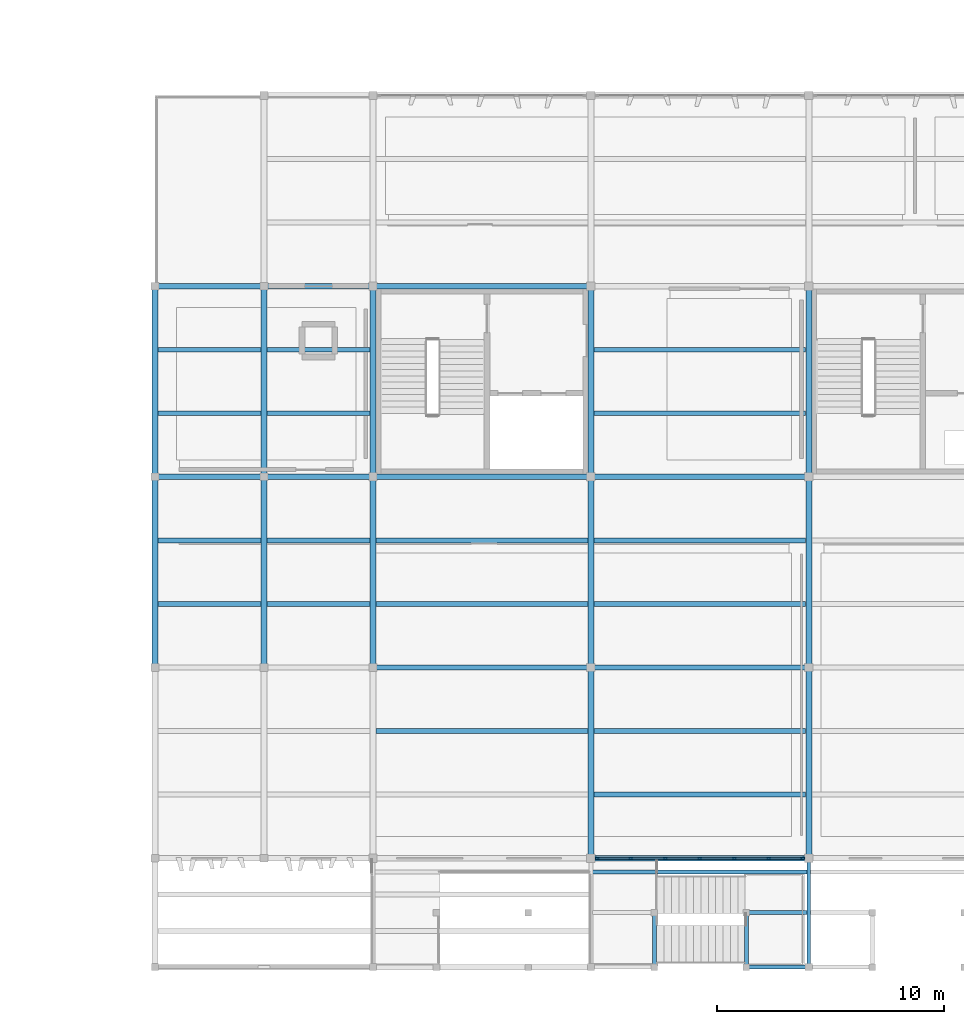
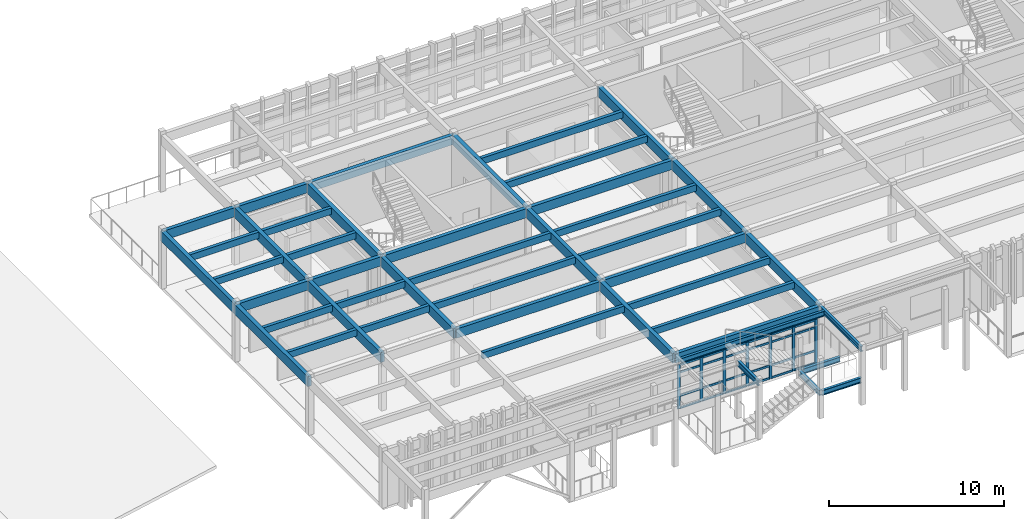
# One storey, part 3 of 18: 45 beams, 31 members, 1 element without a shape of its own.
"""IFC4 building model written with IfcOpenShell, lengths in metres."""

from ifc_helpers import new_model, si_unit, direction, frame, origin, origin_2d, place, context, subcontext, project, spatial, rectangle, i_section, extrude, material, layer, layer_set, material_profile, profile_set, type_object, element, aggregate, save


model = new_model("IFC4")

# Units and contexts
model_context = context("Model", 3, precision=1e-05, world=origin(), true_north=direction((0.0, 1.0)))
body_context = subcontext(model_context, "Body", "Model", "MODEL_VIEW")
ifc_project = project(units=[si_unit("LENGTHUNIT", "METRE"), si_unit("AREAUNIT", "SQUARE_METRE"), si_unit("VOLUMEUNIT", "CUBIC_METRE"), si_unit("PLANEANGLEUNIT", "RADIAN"), si_unit("MASSUNIT", "GRAM", prefix="KILO")], contexts=[model_context])

# Site, building, storey
site_placement = place(None, origin())
site = spatial("IfcSite", under=ifc_project, at=site_placement, CompositionType="ELEMENT")
building_placement = place(site_placement, origin())
building = spatial("IfcBuilding", under=site, at=building_placement, Name="Kolvemor Railside Polytechnic", CompositionType="ELEMENT")
storey_placement = place(building_placement, frame((0.0, 0.0, 18.60009765625)))
storey = spatial("IfcBuildingStorey", under=building, at=storey_placement, Name="L04", CompositionType="ELEMENT", Elevation=18.60009765625)

# Beams
ifc_material_1 = material(Name="Glulam GL28h", Category="wood")
ifc_material_profile_1 = material_profile(ifc_material_1, rectangle(XDim=0.264892578125, YDim=0.679931640625, at=origin_2d()), Name="GL265x680")
ifc_profile_set_1 = profile_set([ifc_material_profile_1], Name="Glulam GL28h")
beam_type_1 = type_object("IfcBeamType", Name="BM-GL-GIRD2", PredefinedType="BEAM", material=ifc_profile_set_1)
beam_1_placement = place(storey_placement, frame((62.39990234375, 13.199951171875, 3.6298828125), z_axis=(0.0, 1.0, 0.0), x_axis=(-1.0, 0.0, 0.0)))
element("IfcBeam", 1, at=beam_1_placement, inside=storey, type_object=beam_type_1, Name="Primary Girder L05-GY 1549", PredefinedType="BEAM", context=body_context, shape_type="SweptSolid", body=[
    extrude(rectangle(XDim=0.264892578125, YDim=0.679931640625, at=origin_2d()), origin(), (0.0, 0.0, 1.0), 8.400146484375),
])
beam_2_placement = place(storey_placement, frame((62.39990234375, 21.60009765625, 3.6298828125), z_axis=(0.0, 1.0, 0.0), x_axis=(-1.0, 0.0, 0.0)))
element("IfcBeam", 2, at=beam_2_placement, inside=storey, type_object=beam_type_1, Name="Primary Girder L05-GY 1550", PredefinedType="BEAM", context=body_context, shape_type="SweptSolid", body=[
    extrude(rectangle(XDim=0.264892578125, YDim=0.679931640625, at=origin_2d()), origin(), (0.0, 0.0, 1.0), 8.39990234375),
])
beam_3_placement = place(storey_placement, frame((67.199951171875, 13.199951171875, 3.6298828125), z_axis=(0.0, 1.0, 0.0), x_axis=(-1.0, 0.0, 0.0)))
element("IfcBeam", 3, at=beam_3_placement, inside=storey, type_object=beam_type_1, Name="Primary Girder L05-GY 1553", PredefinedType="BEAM", context=body_context, shape_type="SweptSolid", body=[
    extrude(rectangle(XDim=0.264892578125, YDim=0.679931640625, at=origin_2d()), origin(), (0.0, 0.0, 1.0), 8.400146484375),
])
for number, where, z_axis, x_axis, name in (
    (4, (67.199951171875, 21.60009765625, 3.6298828125), (0.0, 1.0, 0.0), (-1.0, 0.0, 0.0), "Primary Girder L05-GY 1554"),
    (5, (76.800048828125, 4.800048828125, 3.6298828125), (0.0, 1.0, 0.0), (-1.0, 0.0, 0.0), "Primary Girder L05-GY 1556"),
):
    element("IfcBeam", number, at=place(storey_placement, frame(where, z_axis=z_axis, x_axis=x_axis)), inside=storey, type_object=beam_type_1, Name=name, PredefinedType="BEAM", context=body_context, shape_type="SweptSolid", body=[
        extrude(rectangle(XDim=0.264892578125, YDim=0.679931640625, at=origin_2d()), origin(), (0.0, 0.0, 1.0), 8.39990234375),
    ])
beam_4_placement = place(storey_placement, frame((76.800048828125, 13.199951171875, 3.6298828125), z_axis=(0.0, 1.0, 0.0), x_axis=(-1.0, 0.0, 0.0)))
element("IfcBeam", 6, at=beam_4_placement, inside=storey, type_object=beam_type_1, Name="Primary Girder L05-GY 1557", PredefinedType="BEAM", context=body_context, shape_type="SweptSolid", body=[
    extrude(rectangle(XDim=0.264892578125, YDim=0.679931640625, at=origin_2d()), origin(), (0.0, 0.0, 1.0), 8.400146484375),
])
for number, where, z_axis, x_axis, name in (
    (7, (76.800048828125, 21.60009765625, 3.6298828125), (0.0, 1.0, 0.0), (-1.0, 0.0, 0.0), "Primary Girder L05-GY 1558"),
    (8, (86.39990234375, 4.800048828125, 3.6298828125), (0.0, 1.0, 0.0), (-1.0, 0.0, 0.0), "Primary Girder L05-GY 1560"),
):
    element("IfcBeam", number, at=place(storey_placement, frame(where, z_axis=z_axis, x_axis=x_axis)), inside=storey, type_object=beam_type_1, Name=name, PredefinedType="BEAM", context=body_context, shape_type="SweptSolid", body=[
        extrude(rectangle(XDim=0.264892578125, YDim=0.679931640625, at=origin_2d()), origin(), (0.0, 0.0, 1.0), 8.39990234375),
    ])
beam_5_placement = place(storey_placement, frame((86.39990234375, 13.199951171875, 3.6298828125), z_axis=(0.0, 1.0, 0.0), x_axis=(-1.0, 0.0, 0.0)))
element("IfcBeam", 9, at=beam_5_placement, inside=storey, type_object=beam_type_1, Name="Primary Girder L05-GY 1561", PredefinedType="BEAM", context=body_context, shape_type="SweptSolid", body=[
    extrude(rectangle(XDim=0.264892578125, YDim=0.679931640625, at=origin_2d()), origin(), (0.0, 0.0, 1.0), 8.400146484375),
])
beam_6_placement = place(storey_placement, frame((86.39990234375, 21.60009765625, 3.6298828125), z_axis=(0.0, 1.0, 0.0), x_axis=(-1.0, 0.0, 0.0)))
element("IfcBeam", 10, at=beam_6_placement, inside=storey, type_object=beam_type_1, Name="Primary Girder L05-GY 1562", PredefinedType="BEAM", context=body_context, shape_type="SweptSolid", body=[
    extrude(rectangle(XDim=0.264892578125, YDim=0.679931640625, at=origin_2d()), origin(), (0.0, 0.0, 1.0), 8.39990234375),
])
beam_7_placement = place(storey_placement, frame((57.60009765625, 13.199951171875, 3.6298828125), z_axis=(0.0, 1.0, 0.0), x_axis=(-1.0, 0.0, 0.0)))
element("IfcBeam", 11, at=beam_7_placement, inside=storey, type_object=beam_type_1, Name="Primary Girder L05-GY 1960", PredefinedType="BEAM", context=body_context, shape_type="SweptSolid", body=[
    extrude(rectangle(XDim=0.264892578125, YDim=0.679931640625, at=origin_2d()), origin(), (0.0, 0.0, 1.0), 8.400146484375),
])
beam_8_placement = place(storey_placement, frame((57.60009765625, 21.60009765625, 3.6298828125), z_axis=(0.0, 1.0, 0.0), x_axis=(-1.0, 0.0, 0.0)))
element("IfcBeam", 12, at=beam_8_placement, inside=storey, type_object=beam_type_1, Name="Primary Girder L05-GY 1961", PredefinedType="BEAM", context=body_context, shape_type="SweptSolid", body=[
    extrude(rectangle(XDim=0.264892578125, YDim=0.679931640625, at=origin_2d()), origin(), (0.0, 0.0, 1.0), 8.39990234375),
])
ifc_material_2 = material(Name="Glulam GL28h", Category="wood")
ifc_material_profile_2 = material_profile(ifc_material_2, rectangle(XDim=0.239990234375, YDim=0.639892578125, at=origin_2d()), Name="GL240x640")
ifc_profile_set_2 = profile_set([ifc_material_profile_2], Name="Glulam GL28h")
beam_type_2 = type_object("IfcBeamType", Name="BM-GL-GIRD5", PredefinedType="BEAM", material=ifc_profile_set_2)
beam_9_placement = place(storey_placement, frame((76.800048828125, 4.800048828125, 3.64990234375), z_axis=(1.0, 0.0, 0.0), x_axis=(0.0, 1.0, 0.0)))
element("IfcBeam", 13, at=beam_9_placement, inside=storey, type_object=beam_type_2, Name="Primary Girder L05-GX 1520", PredefinedType="BEAM", context=body_context, shape_type="SweptSolid", body=[
    extrude(rectangle(XDim=0.239990234375, YDim=0.639892578125, at=origin_2d()), origin(), (0.0, 0.0, 1.0), 9.599853515625),
])
beam_10_placement = place(storey_placement, frame((67.199951171875, 13.199951171875, 3.64990234375), z_axis=(1.0, 0.0, 0.0), x_axis=(0.0, 1.0, 0.0)))
element("IfcBeam", 14, at=beam_10_placement, inside=storey, type_object=beam_type_2, Name="Primary Girder L05-GX 1525", PredefinedType="BEAM", context=body_context, shape_type="SweptSolid", body=[
    extrude(rectangle(XDim=0.239990234375, YDim=0.639892578125, at=origin_2d()), origin(), (0.0, 0.0, 1.0), 9.60009765625),
])
beam_11_placement = place(storey_placement, frame((76.800048828125, 13.199951171875, 3.64990234375), z_axis=(1.0, 0.0, 0.0), x_axis=(0.0, 1.0, 0.0)))
element("IfcBeam", 15, at=beam_11_placement, inside=storey, type_object=beam_type_2, Name="Primary Girder L05-GX 1526", PredefinedType="BEAM", context=body_context, shape_type="SweptSolid", body=[
    extrude(rectangle(XDim=0.239990234375, YDim=0.639892578125, at=origin_2d()), origin(), (0.0, 0.0, 1.0), 9.599853515625),
])
beam_12_placement = place(storey_placement, frame((62.39990234375, 21.60009765625, 3.64990234375), z_axis=(1.0, 0.0, 0.0), x_axis=(0.0, 1.0, 0.0)))
element("IfcBeam", 16, at=beam_12_placement, inside=storey, type_object=beam_type_2, Name="Primary Girder L05-GX 1530", PredefinedType="BEAM", context=body_context, shape_type="SweptSolid", body=[
    extrude(rectangle(XDim=0.239990234375, YDim=0.639892578125, at=origin_2d()), origin(), (0.0, 0.0, 1.0), 4.800048828125),
])
beam_13_placement = place(storey_placement, frame((67.199951171875, 21.60009765625, 3.64990234375), z_axis=(1.0, 0.0, 0.0), x_axis=(0.0, 1.0, 0.0)))
element("IfcBeam", 17, at=beam_13_placement, inside=storey, type_object=beam_type_2, Name="Primary Girder L05-GX 1531", PredefinedType="BEAM", context=body_context, shape_type="SweptSolid", body=[
    extrude(rectangle(XDim=0.239990234375, YDim=0.639892578125, at=origin_2d()), origin(), (0.0, 0.0, 1.0), 9.60009765625),
])
beam_14_placement = place(storey_placement, frame((76.800048828125, 21.60009765625, 3.64990234375), z_axis=(1.0, 0.0, 0.0), x_axis=(0.0, 1.0, 0.0)))
element("IfcBeam", 18, at=beam_14_placement, inside=storey, type_object=beam_type_2, Name="Primary Girder L05-GX 1532", PredefinedType="BEAM", context=body_context, shape_type="SweptSolid", body=[
    extrude(rectangle(XDim=0.239990234375, YDim=0.639892578125, at=origin_2d()), origin(), (0.0, 0.0, 1.0), 9.599853515625),
])
beam_15_placement = place(storey_placement, frame((62.39990234375, 30.0, 3.64990234375), z_axis=(1.0, 0.0, 0.0), x_axis=(0.0, 1.0, 0.0)))
element("IfcBeam", 19, at=beam_15_placement, inside=storey, type_object=beam_type_2, Name="Primary Girder L05-GX 1536", PredefinedType="BEAM", context=body_context, shape_type="SweptSolid", body=[
    extrude(rectangle(XDim=0.239990234375, YDim=0.639892578125, at=origin_2d()), origin(), (0.0, 0.0, 1.0), 4.800048828125),
])
beam_16_placement = place(storey_placement, frame((67.199951171875, 30.0, 3.64990234375), z_axis=(1.0, 0.0, 0.0), x_axis=(0.0, 1.0, 0.0)))
element("IfcBeam", 20, at=beam_16_placement, inside=storey, type_object=beam_type_2, Name="Primary Girder L05-GX 1537", PredefinedType="BEAM", context=body_context, shape_type="SweptSolid", body=[
    extrude(rectangle(XDim=0.239990234375, YDim=0.639892578125, at=origin_2d()), origin(), (0.0, 0.0, 1.0), 9.60009765625),
])
for number, where, z_axis, x_axis, name in (
    (21, (57.60009765625, 21.60009765625, 3.64990234375), (1.0, 0.0, 0.0), (0.0, 1.0, 0.0), "Primary Girder L05-GX 1957"),
    (22, (57.60009765625, 30.0, 3.64990234375), (1.0, 0.0, 0.0), (0.0, 1.0, 0.0), "Primary Girder L05-GX 1958"),
):
    element("IfcBeam", number, at=place(storey_placement, frame(where, z_axis=z_axis, x_axis=x_axis)), inside=storey, type_object=beam_type_2, Name=name, PredefinedType="BEAM", context=body_context, shape_type="SweptSolid", body=[
        extrude(rectangle(XDim=0.239990234375, YDim=0.639892578125, at=origin_2d()), origin(), (0.0, 0.0, 1.0), 4.7998046875),
    ])
ifc_material_3 = material(Name="Glulam GL28h", Category="wood")
ifc_material_profile_3 = material_profile(ifc_material_3, rectangle(XDim=0.215087890625, YDim=0.449951171875, at=origin_2d()), Name="GL215x450")
ifc_profile_set_3 = profile_set([ifc_material_profile_3], Name="Glulam GL28h")
beam_type_3 = type_object("IfcBeamType", Name="BM-GL-JST2", PredefinedType="JOIST", material=ifc_profile_set_3)
for number, where, z_axis, x_axis, name in (
    (23, (62.532958984375, 16.0, 3.744873046875), (1.0, 0.0, 0.0), (0.0, 1.0, 0.0), "Floor Joist L05-J1578"),
    (24, (62.532958984375, 18.800048828125, 3.744873046875), (1.0, 0.0, 0.0), (0.0, 1.0, 0.0), "Floor Joist L05-J1579"),
    (25, (62.532958984375, 24.39990234375, 3.744873046875), (1.0, 0.0, 0.0), (0.0, 1.0, 0.0), "Floor Joist L05-J1580"),
    (26, (62.532958984375, 27.199951171875, 3.744873046875), (1.0, 0.0, 0.0), (0.0, 1.0, 0.0), "Floor Joist L05-J1581"),
):
    element("IfcBeam", number, at=place(storey_placement, frame(where, z_axis=z_axis, x_axis=x_axis)), inside=storey, type_object=beam_type_3, Name=name, PredefinedType="JOIST", context=body_context, shape_type="SweptSolid", body=[
        extrude(rectangle(XDim=0.215087890625, YDim=0.449951171875, at=origin_2d()), origin(), (0.0, 0.0, 1.0), 4.533935546875),
    ])
for number, where, z_axis, x_axis, name in (
    (27, (67.3330078125, 10.39990234375, 3.744873046875), (1.0, 0.0, 0.0), (0.0, 1.0, 0.0), "Floor Joist L05-J1585"),
    (28, (67.3330078125, 16.0, 3.744873046875), (1.0, 0.0, 0.0), (0.0, 1.0, 0.0), "Floor Joist L05-J1586"),
    (29, (67.3330078125, 18.800048828125, 3.744873046875), (1.0, 0.0, 0.0), (0.0, 1.0, 0.0), "Floor Joist L05-J1587"),
    (30, (76.93310546875, 7.60009765625, 3.744873046875), (1.0, 0.0, 0.0), (0.0, 1.0, 0.0), "Floor Joist L05-J1590"),
    (31, (76.93310546875, 10.39990234375, 3.744873046875), (1.0, 0.0, 0.0), (0.0, 1.0, 0.0), "Floor Joist L05-J1591"),
    (32, (76.93310546875, 16.0, 3.744873046875), (1.0, 0.0, 0.0), (0.0, 1.0, 0.0), "Floor Joist L05-J1592"),
    (33, (76.93310546875, 18.800048828125, 3.744873046875), (1.0, 0.0, 0.0), (0.0, 1.0, 0.0), "Floor Joist L05-J1593"),
    (34, (76.93310546875, 24.39990234375, 3.744873046875), (1.0, 0.0, 0.0), (0.0, 1.0, 0.0), "Floor Joist L05-J1594"),
    (35, (76.93310546875, 27.199951171875, 3.744873046875), (1.0, 0.0, 0.0), (0.0, 1.0, 0.0), "Floor Joist L05-J1595"),
):
    element("IfcBeam", number, at=place(storey_placement, frame(where, z_axis=z_axis, x_axis=x_axis)), inside=storey, type_object=beam_type_3, Name=name, PredefinedType="JOIST", context=body_context, shape_type="SweptSolid", body=[
        extrude(rectangle(XDim=0.215087890625, YDim=0.449951171875, at=origin_2d()), origin(), (0.0, 0.0, 1.0), 9.333984375),
    ])
for number, where, z_axis, x_axis, name in (
    (36, (57.73291015625, 16.0, 3.744873046875), (1.0, 0.0, 0.0), (0.0, 1.0, 0.0), "Floor Joist L05-J1964"),
    (37, (57.73291015625, 18.800048828125, 3.744873046875), (1.0, 0.0, 0.0), (0.0, 1.0, 0.0), "Floor Joist L05-J1965"),
    (38, (57.73291015625, 24.39990234375, 3.744873046875), (1.0, 0.0, 0.0), (0.0, 1.0, 0.0), "Floor Joist L05-J1966"),
    (39, (57.73291015625, 27.199951171875, 3.744873046875), (1.0, 0.0, 0.0), (0.0, 1.0, 0.0), "Floor Joist L05-J1967"),
):
    element("IfcBeam", number, at=place(storey_placement, frame(where, z_axis=z_axis, x_axis=x_axis)), inside=storey, type_object=beam_type_3, Name=name, PredefinedType="JOIST", context=body_context, shape_type="SweptSolid", body=[
        extrude(rectangle(XDim=0.215087890625, YDim=0.449951171875, at=origin_2d()), origin(), (0.0, 0.0, 1.0), 4.5341796875),
    ])
ifc_material_4 = material(Name="Steel S355", Category="steel")
ifc_material_profile_4 = material_profile(ifc_material_4, i_section(OverallWidth=0.172119140625, OverallDepth=0.35791015625, WebThickness=0.0078125, FlangeThickness=0.01318359375, FilletRadius=0.010986328125, at=origin_2d()), Name="W360x57")
ifc_profile_set_4 = profile_set([ifc_material_profile_4], Name="Steel S355")
beam_type_4 = type_object("IfcBeamType", Name="BM-ST-COLL", PredefinedType="BEAM", material=ifc_profile_set_4)
beam_17_placement = place(storey_placement, frame((79.60009765625, 0.0, 3.80078125), z_axis=(0.0, 1.0, 0.0), x_axis=(-1.0, 0.0, 0.0)))
element("IfcBeam", 40, at=beam_17_placement, inside=storey, type_object=beam_type_4, Name="Zigzag Stair Top Beam L05 2082", PredefinedType="BEAM", context=body_context, shape_type="SweptSolid", body=[
    extrude(i_section(OverallWidth=0.172119140625, OverallDepth=0.35791015625, WebThickness=0.0078125, FlangeThickness=0.01318359375, FilletRadius=0.010986328125, at=origin_2d()), origin(), (0.0, 0.0, 1.0), 2.39990234375),
])
beam_18_placement = place(storey_placement, frame((86.39990234375, 0.0, 3.80078125), z_axis=(0.0, 1.0, 0.0), x_axis=(-1.0, 0.0, 0.0)))
element("IfcBeam", 41, at=beam_18_placement, inside=storey, type_object=beam_type_4, Name="Zigzag Stair Departure Beam L05 2085", PredefinedType="BEAM", context=body_context, shape_type="SweptSolid", body=[
    extrude(i_section(OverallWidth=0.172119140625, OverallDepth=0.35791015625, WebThickness=0.0078125, FlangeThickness=0.01318359375, FilletRadius=0.010986328125, at=origin_2d()), origin(), (0.0, 0.0, 1.0), 4.800048828125),
])
beam_19_placement = place(storey_placement, frame((76.8798828125, 4.199951171875, 3.80078125), z_axis=(1.0, 0.0, 0.0), x_axis=(0.0, 1.0, 0.0)))
element("IfcBeam", 42, at=beam_19_placement, inside=storey, type_object=beam_type_4, Name="Zigzag Rear Gallery Beam L05 2090", PredefinedType="BEAM", context=body_context, shape_type="SweptSolid", body=[
    extrude(i_section(OverallWidth=0.172119140625, OverallDepth=0.35791015625, WebThickness=0.0078125, FlangeThickness=0.01318359375, FilletRadius=0.010986328125, at=origin_2d()), origin(), (0.0, 0.0, 1.0), 9.440185546875),
])
beam_20_placement = place(storey_placement, frame((83.64990234375, 0.0, 1.700927734375), z_axis=(0.0, 1.0, 0.0), x_axis=(-1.0, 0.0, 0.0)))
element("IfcBeam", 43, at=beam_20_placement, inside=storey, type_object=beam_type_4, Name="Zigzag Stair Mid Beam L04 2094", PredefinedType="BEAM", context=body_context, shape_type="SweptSolid", body=[
    extrude(i_section(OverallWidth=0.172119140625, OverallDepth=0.35791015625, WebThickness=0.0078125, FlangeThickness=0.01318359375, FilletRadius=0.010986328125, at=origin_2d()), origin(), (0.0, 0.0, 1.0), 2.39990234375),
])
for number, where, z_axis, x_axis, name in (
    (44, (83.72509765625, 0.0, 1.700927734375), (1.0, 0.0, 0.0), (0.0, 1.0, 0.0), "Zigzag Stair Mid Tie L04 2095"),
    (45, (83.72509765625, 2.39990234375, 1.700927734375), (1.0, 0.0, 0.0), (0.0, 1.0, 0.0), "Zigzag Stair Mid Tie L04 2096"),
):
    element("IfcBeam", number, at=place(storey_placement, frame(where, z_axis=z_axis, x_axis=x_axis)), inside=storey, type_object=beam_type_4, Name=name, PredefinedType="BEAM", context=body_context, shape_type="SweptSolid", body=[
        extrude(i_section(OverallWidth=0.172119140625, OverallDepth=0.35791015625, WebThickness=0.0078125, FlangeThickness=0.01318359375, FilletRadius=0.010986328125, at=origin_2d()), origin(), (0.0, 0.0, 1.0), 2.599853515625),
    ])

# Curtain wall, members
ifc_material_5 = material(Name="Anodised marine aluminium and laminated low-E glass", Category="aluminium")
ifc_layer = layer(ifc_material_5, 0.179931640625, Name="CW-UNIT-STD")
ifc_layer_set = layer_set([ifc_layer], Name="Anodised marine aluminium and laminated low-E glass")
curtain_wall_type = type_object("IfcCurtainWallType", Name="CW-UNIT-STD", PredefinedType="USERDEFINED", material=ifc_layer_set)
curtain_wall_placement = place(storey_placement, origin())
curtain_wall = element("IfcCurtainWall", 46, at=curtain_wall_placement, inside=storey, type_object=curtain_wall_type, Name="Curtain Wall L04-104", ObjectType="UNITISED CURTAIN WALL", PredefinedType="USERDEFINED")
ifc_material_6 = material(Name="Anodised marine aluminium 6063-T6", Category="aluminium")
ifc_material_profile_5 = material_profile(ifc_material_6, rectangle(XDim=0.074951171875, YDim=0.179931640625, at=origin_2d()), Name="CW-MUL-75x180")
ifc_profile_set_5 = profile_set([ifc_material_profile_5], Name="Anodised marine aluminium 6063-T6")
member_type_1 = type_object("IfcMemberType", Name="CWM-75x180", PredefinedType="MULLION", material=ifc_profile_set_5)
member_1_placement = place(storey_placement, frame((77.077392578125, 4.800048828125, 0.0), z_axis=(0.0, 0.0, 1.0), x_axis=(0.0, 1.0, 0.0)))
member_1 = element("IfcMember", 47, at=member_1_placement, type_object=member_type_1, Name="CW-STD mullion 1", PredefinedType="MULLION", context=body_context, shape_type="SweptSolid", body=[
    extrude(rectangle(XDim=0.074951171875, YDim=0.179931640625, at=origin_2d()), origin(), (0.0, 0.0, 1.0), 3.06982421875),
])
member_2_placement = place(storey_placement, frame((78.56005859375, 4.800048828125, 0.0), z_axis=(0.0, 0.0, 1.0), x_axis=(0.0, 1.0, 0.0)))
member_2 = element("IfcMember", 48, at=member_2_placement, type_object=member_type_1, Name="CW-STD mullion 2", PredefinedType="MULLION", context=body_context, shape_type="SweptSolid", body=[
    extrude(rectangle(XDim=0.074951171875, YDim=0.179931640625, at=origin_2d()), origin(), (0.0, 0.0, 1.0), 3.06982421875),
])
member_3_placement = place(storey_placement, frame((80.080078125, 4.800048828125, 0.0), z_axis=(0.0, 0.0, 1.0), x_axis=(0.0, 1.0, 0.0)))
member_3 = element("IfcMember", 49, at=member_3_placement, type_object=member_type_1, Name="CW-STD mullion 3", PredefinedType="MULLION", context=body_context, shape_type="SweptSolid", body=[
    extrude(rectangle(XDim=0.074951171875, YDim=0.179931640625, at=origin_2d()), origin(), (0.0, 0.0, 1.0), 3.06982421875),
])
member_4_placement = place(storey_placement, frame((81.60009765625, 4.800048828125, 0.0), z_axis=(0.0, 0.0, 1.0), x_axis=(0.0, 1.0, 0.0)))
member_4 = element("IfcMember", 50, at=member_4_placement, type_object=member_type_1, Name="CW-STD mullion 4", PredefinedType="MULLION", context=body_context, shape_type="SweptSolid", body=[
    extrude(rectangle(XDim=0.074951171875, YDim=0.179931640625, at=origin_2d()), origin(), (0.0, 0.0, 1.0), 3.06982421875),
])
member_5_placement = place(storey_placement, frame((83.1201171875, 4.800048828125, 0.0), z_axis=(0.0, 0.0, 1.0), x_axis=(0.0, 1.0, 0.0)))
member_5 = element("IfcMember", 51, at=member_5_placement, type_object=member_type_1, Name="CW-STD mullion 5", PredefinedType="MULLION", context=body_context, shape_type="SweptSolid", body=[
    extrude(rectangle(XDim=0.074951171875, YDim=0.179931640625, at=origin_2d()), origin(), (0.0, 0.0, 1.0), 3.06982421875),
])
member_6_placement = place(storey_placement, frame((84.639892578125, 4.800048828125, 0.0), z_axis=(0.0, 0.0, 1.0), x_axis=(0.0, 1.0, 0.0)))
member_6 = element("IfcMember", 52, at=member_6_placement, type_object=member_type_1, Name="CW-STD mullion 6", PredefinedType="MULLION", context=body_context, shape_type="SweptSolid", body=[
    extrude(rectangle(XDim=0.074951171875, YDim=0.179931640625, at=origin_2d()), origin(), (0.0, 0.0, 1.0), 3.06982421875),
])
member_7_placement = place(storey_placement, frame((86.12255859375, 4.800048828125, 0.0), z_axis=(0.0, 0.0, 1.0), x_axis=(0.0, 1.0, 0.0)))
member_7 = element("IfcMember", 53, at=member_7_placement, type_object=member_type_1, Name="CW-STD mullion 7", PredefinedType="MULLION", context=body_context, shape_type="SweptSolid", body=[
    extrude(rectangle(XDim=0.074951171875, YDim=0.179931640625, at=origin_2d()), origin(), (0.0, 0.0, 1.0), 3.06982421875),
])
ifc_material_7 = material(Name="Anodised marine aluminium 6063-T6", Category="aluminium")
ifc_material_profile_6 = material_profile(ifc_material_7, rectangle(XDim=0.074951171875, YDim=0.139892578125, at=origin_2d()), Name="CW-TRN-75x140")
ifc_profile_set_6 = profile_set([ifc_material_profile_6], Name="Anodised marine aluminium 6063-T6")
member_type_2 = type_object("IfcMemberType", Name="CWT-75x140", PredefinedType="USERDEFINED", material=ifc_profile_set_6)
member_8_placement = place(storey_placement, frame((77.114990234375, 4.800048828125, 0.037353515625), z_axis=(1.0, 0.0, 0.0), x_axis=(0.0, 1.0, 0.0)))
member_8 = element("IfcMember", 54, at=member_8_placement, type_object=member_type_2, Name="CW-STD transom 1.1", ObjectType="TRANSOM", PredefinedType="USERDEFINED", context=body_context, shape_type="SweptSolid", body=[
    extrude(rectangle(XDim=0.074951171875, YDim=0.139892578125, at=origin_2d()), origin(), (0.0, 0.0, 1.0), 1.407470703125),
])
member_9_placement = place(storey_placement, frame((77.114990234375, 4.800048828125, 0.89990234375), z_axis=(1.0, 0.0, 0.0), x_axis=(0.0, 1.0, 0.0)))
member_9 = element("IfcMember", 55, at=member_9_placement, type_object=member_type_2, Name="CW-STD transom 1.2", ObjectType="TRANSOM", PredefinedType="USERDEFINED", context=body_context, shape_type="SweptSolid", body=[
    extrude(rectangle(XDim=0.074951171875, YDim=0.139892578125, at=origin_2d()), origin(), (0.0, 0.0, 1.0), 1.407470703125),
])
member_10_placement = place(storey_placement, frame((77.114990234375, 4.800048828125, 2.52001953125), z_axis=(1.0, 0.0, 0.0), x_axis=(0.0, 1.0, 0.0)))
member_10 = element("IfcMember", 56, at=member_10_placement, type_object=member_type_2, Name="CW-STD transom 1.3", ObjectType="TRANSOM", PredefinedType="USERDEFINED", context=body_context, shape_type="SweptSolid", body=[
    extrude(rectangle(XDim=0.074951171875, YDim=0.139892578125, at=origin_2d()), origin(), (0.0, 0.0, 1.0), 1.407470703125),
])
member_11_placement = place(storey_placement, frame((77.114990234375, 4.800048828125, 3.032470703125), z_axis=(1.0, 0.0, 0.0), x_axis=(0.0, 1.0, 0.0)))
member_11 = element("IfcMember", 57, at=member_11_placement, type_object=member_type_2, Name="CW-STD transom 1.4", ObjectType="TRANSOM", PredefinedType="USERDEFINED", context=body_context, shape_type="SweptSolid", body=[
    extrude(rectangle(XDim=0.074951171875, YDim=0.139892578125, at=origin_2d()), origin(), (0.0, 0.0, 1.0), 1.407470703125),
])
member_12_placement = place(storey_placement, frame((78.597412109375, 4.800048828125, 0.037353515625), z_axis=(1.0, 0.0, 0.0), x_axis=(0.0, 1.0, 0.0)))
member_12 = element("IfcMember", 58, at=member_12_placement, type_object=member_type_2, Name="CW-STD transom 2.1", ObjectType="TRANSOM", PredefinedType="USERDEFINED", context=body_context, shape_type="SweptSolid", body=[
    extrude(rectangle(XDim=0.074951171875, YDim=0.139892578125, at=origin_2d()), origin(), (0.0, 0.0, 1.0), 1.445068359375),
])
member_13_placement = place(storey_placement, frame((78.597412109375, 4.800048828125, 0.89990234375), z_axis=(1.0, 0.0, 0.0), x_axis=(0.0, 1.0, 0.0)))
member_13 = element("IfcMember", 59, at=member_13_placement, type_object=member_type_2, Name="CW-STD transom 2.2", ObjectType="TRANSOM", PredefinedType="USERDEFINED", context=body_context, shape_type="SweptSolid", body=[
    extrude(rectangle(XDim=0.074951171875, YDim=0.139892578125, at=origin_2d()), origin(), (0.0, 0.0, 1.0), 1.445068359375),
])
member_14_placement = place(storey_placement, frame((78.597412109375, 4.800048828125, 2.52001953125), z_axis=(1.0, 0.0, 0.0), x_axis=(0.0, 1.0, 0.0)))
member_14 = element("IfcMember", 60, at=member_14_placement, type_object=member_type_2, Name="CW-STD transom 2.3", ObjectType="TRANSOM", PredefinedType="USERDEFINED", context=body_context, shape_type="SweptSolid", body=[
    extrude(rectangle(XDim=0.074951171875, YDim=0.139892578125, at=origin_2d()), origin(), (0.0, 0.0, 1.0), 1.445068359375),
])
member_15_placement = place(storey_placement, frame((78.597412109375, 4.800048828125, 3.032470703125), z_axis=(1.0, 0.0, 0.0), x_axis=(0.0, 1.0, 0.0)))
member_15 = element("IfcMember", 61, at=member_15_placement, type_object=member_type_2, Name="CW-STD transom 2.4", ObjectType="TRANSOM", PredefinedType="USERDEFINED", context=body_context, shape_type="SweptSolid", body=[
    extrude(rectangle(XDim=0.074951171875, YDim=0.139892578125, at=origin_2d()), origin(), (0.0, 0.0, 1.0), 1.445068359375),
])
member_16_placement = place(storey_placement, frame((80.117431640625, 4.800048828125, 0.037353515625), z_axis=(1.0, 0.0, 0.0), x_axis=(0.0, 1.0, 0.0)))
member_16 = element("IfcMember", 62, at=member_16_placement, type_object=member_type_2, Name="CW-STD transom 3.1", ObjectType="TRANSOM", PredefinedType="USERDEFINED", context=body_context, shape_type="SweptSolid", body=[
    extrude(rectangle(XDim=0.074951171875, YDim=0.139892578125, at=origin_2d()), origin(), (0.0, 0.0, 1.0), 1.445068359375),
])
member_17_placement = place(storey_placement, frame((80.117431640625, 4.800048828125, 0.89990234375), z_axis=(1.0, 0.0, 0.0), x_axis=(0.0, 1.0, 0.0)))
member_17 = element("IfcMember", 63, at=member_17_placement, type_object=member_type_2, Name="CW-STD transom 3.2", ObjectType="TRANSOM", PredefinedType="USERDEFINED", context=body_context, shape_type="SweptSolid", body=[
    extrude(rectangle(XDim=0.074951171875, YDim=0.139892578125, at=origin_2d()), origin(), (0.0, 0.0, 1.0), 1.445068359375),
])
member_18_placement = place(storey_placement, frame((80.117431640625, 4.800048828125, 2.52001953125), z_axis=(1.0, 0.0, 0.0), x_axis=(0.0, 1.0, 0.0)))
member_18 = element("IfcMember", 64, at=member_18_placement, type_object=member_type_2, Name="CW-STD transom 3.3", ObjectType="TRANSOM", PredefinedType="USERDEFINED", context=body_context, shape_type="SweptSolid", body=[
    extrude(rectangle(XDim=0.074951171875, YDim=0.139892578125, at=origin_2d()), origin(), (0.0, 0.0, 1.0), 1.445068359375),
])
member_19_placement = place(storey_placement, frame((80.117431640625, 4.800048828125, 3.032470703125), z_axis=(1.0, 0.0, 0.0), x_axis=(0.0, 1.0, 0.0)))
member_19 = element("IfcMember", 65, at=member_19_placement, type_object=member_type_2, Name="CW-STD transom 3.4", ObjectType="TRANSOM", PredefinedType="USERDEFINED", context=body_context, shape_type="SweptSolid", body=[
    extrude(rectangle(XDim=0.074951171875, YDim=0.139892578125, at=origin_2d()), origin(), (0.0, 0.0, 1.0), 1.445068359375),
])
member_20_placement = place(storey_placement, frame((81.637451171875, 4.800048828125, 0.037353515625), z_axis=(1.0, 0.0, 0.0), x_axis=(0.0, 1.0, 0.0)))
member_20 = element("IfcMember", 66, at=member_20_placement, type_object=member_type_2, Name="CW-STD transom 4.1", ObjectType="TRANSOM", PredefinedType="USERDEFINED", context=body_context, shape_type="SweptSolid", body=[
    extrude(rectangle(XDim=0.074951171875, YDim=0.139892578125, at=origin_2d()), origin(), (0.0, 0.0, 1.0), 1.445068359375),
])
member_21_placement = place(storey_placement, frame((81.637451171875, 4.800048828125, 0.89990234375), z_axis=(1.0, 0.0, 0.0), x_axis=(0.0, 1.0, 0.0)))
member_21 = element("IfcMember", 67, at=member_21_placement, type_object=member_type_2, Name="CW-STD transom 4.2", ObjectType="TRANSOM", PredefinedType="USERDEFINED", context=body_context, shape_type="SweptSolid", body=[
    extrude(rectangle(XDim=0.074951171875, YDim=0.139892578125, at=origin_2d()), origin(), (0.0, 0.0, 1.0), 1.445068359375),
])
member_22_placement = place(storey_placement, frame((81.637451171875, 4.800048828125, 2.52001953125), z_axis=(1.0, 0.0, 0.0), x_axis=(0.0, 1.0, 0.0)))
member_22 = element("IfcMember", 68, at=member_22_placement, type_object=member_type_2, Name="CW-STD transom 4.3", ObjectType="TRANSOM", PredefinedType="USERDEFINED", context=body_context, shape_type="SweptSolid", body=[
    extrude(rectangle(XDim=0.074951171875, YDim=0.139892578125, at=origin_2d()), origin(), (0.0, 0.0, 1.0), 1.445068359375),
])
member_23_placement = place(storey_placement, frame((81.637451171875, 4.800048828125, 3.032470703125), z_axis=(1.0, 0.0, 0.0), x_axis=(0.0, 1.0, 0.0)))
member_23 = element("IfcMember", 69, at=member_23_placement, type_object=member_type_2, Name="CW-STD transom 4.4", ObjectType="TRANSOM", PredefinedType="USERDEFINED", context=body_context, shape_type="SweptSolid", body=[
    extrude(rectangle(XDim=0.074951171875, YDim=0.139892578125, at=origin_2d()), origin(), (0.0, 0.0, 1.0), 1.445068359375),
])
member_24_placement = place(storey_placement, frame((83.157470703125, 4.800048828125, 0.037353515625), z_axis=(1.0, 0.0, 0.0), x_axis=(0.0, 1.0, 0.0)))
member_24 = element("IfcMember", 70, at=member_24_placement, type_object=member_type_2, Name="CW-STD transom 5.1", ObjectType="TRANSOM", PredefinedType="USERDEFINED", context=body_context, shape_type="SweptSolid", body=[
    extrude(rectangle(XDim=0.074951171875, YDim=0.139892578125, at=origin_2d()), origin(), (0.0, 0.0, 1.0), 1.445068359375),
])
member_25_placement = place(storey_placement, frame((83.157470703125, 4.800048828125, 0.89990234375), z_axis=(1.0, 0.0, 0.0), x_axis=(0.0, 1.0, 0.0)))
member_25 = element("IfcMember", 71, at=member_25_placement, type_object=member_type_2, Name="CW-STD transom 5.2", ObjectType="TRANSOM", PredefinedType="USERDEFINED", context=body_context, shape_type="SweptSolid", body=[
    extrude(rectangle(XDim=0.074951171875, YDim=0.139892578125, at=origin_2d()), origin(), (0.0, 0.0, 1.0), 1.445068359375),
])
member_26_placement = place(storey_placement, frame((83.157470703125, 4.800048828125, 2.52001953125), z_axis=(1.0, 0.0, 0.0), x_axis=(0.0, 1.0, 0.0)))
member_26 = element("IfcMember", 72, at=member_26_placement, type_object=member_type_2, Name="CW-STD transom 5.3", ObjectType="TRANSOM", PredefinedType="USERDEFINED", context=body_context, shape_type="SweptSolid", body=[
    extrude(rectangle(XDim=0.074951171875, YDim=0.139892578125, at=origin_2d()), origin(), (0.0, 0.0, 1.0), 1.445068359375),
])
member_27_placement = place(storey_placement, frame((83.157470703125, 4.800048828125, 3.032470703125), z_axis=(1.0, 0.0, 0.0), x_axis=(0.0, 1.0, 0.0)))
member_27 = element("IfcMember", 73, at=member_27_placement, type_object=member_type_2, Name="CW-STD transom 5.4", ObjectType="TRANSOM", PredefinedType="USERDEFINED", context=body_context, shape_type="SweptSolid", body=[
    extrude(rectangle(XDim=0.074951171875, YDim=0.139892578125, at=origin_2d()), origin(), (0.0, 0.0, 1.0), 1.445068359375),
])
member_28_placement = place(storey_placement, frame((84.677490234375, 4.800048828125, 0.037353515625), z_axis=(1.0, 0.0, 0.0), x_axis=(0.0, 1.0, 0.0)))
member_28 = element("IfcMember", 74, at=member_28_placement, type_object=member_type_2, Name="CW-STD transom 6.1", ObjectType="TRANSOM", PredefinedType="USERDEFINED", context=body_context, shape_type="SweptSolid", body=[
    extrude(rectangle(XDim=0.074951171875, YDim=0.139892578125, at=origin_2d()), origin(), (0.0, 0.0, 1.0), 1.407470703125),
])
member_29_placement = place(storey_placement, frame((84.677490234375, 4.800048828125, 0.89990234375), z_axis=(1.0, 0.0, 0.0), x_axis=(0.0, 1.0, 0.0)))
member_29 = element("IfcMember", 75, at=member_29_placement, type_object=member_type_2, Name="CW-STD transom 6.2", ObjectType="TRANSOM", PredefinedType="USERDEFINED", context=body_context, shape_type="SweptSolid", body=[
    extrude(rectangle(XDim=0.074951171875, YDim=0.139892578125, at=origin_2d()), origin(), (0.0, 0.0, 1.0), 1.407470703125),
])
member_30_placement = place(storey_placement, frame((84.677490234375, 4.800048828125, 2.52001953125), z_axis=(1.0, 0.0, 0.0), x_axis=(0.0, 1.0, 0.0)))
member_30 = element("IfcMember", 76, at=member_30_placement, type_object=member_type_2, Name="CW-STD transom 6.3", ObjectType="TRANSOM", PredefinedType="USERDEFINED", context=body_context, shape_type="SweptSolid", body=[
    extrude(rectangle(XDim=0.074951171875, YDim=0.139892578125, at=origin_2d()), origin(), (0.0, 0.0, 1.0), 1.407470703125),
])
member_31_placement = place(storey_placement, frame((84.677490234375, 4.800048828125, 3.032470703125), z_axis=(1.0, 0.0, 0.0), x_axis=(0.0, 1.0, 0.0)))
member_31 = element("IfcMember", 77, at=member_31_placement, type_object=member_type_2, Name="CW-STD transom 6.4", ObjectType="TRANSOM", PredefinedType="USERDEFINED", context=body_context, shape_type="SweptSolid", body=[
    extrude(rectangle(XDim=0.074951171875, YDim=0.139892578125, at=origin_2d()), origin(), (0.0, 0.0, 1.0), 1.407470703125),
])
aggregate(curtain_wall, [member_1, member_2, member_3, member_4, member_5, member_6, member_7, member_8, member_9, member_10, member_11, member_12, member_13, member_14, member_15, member_16, member_17, member_18, member_19, member_20, member_21, member_22, member_23, member_24, member_25, member_26, member_27, member_28, member_29, member_30, member_31])

save(model, "model.ifc")
